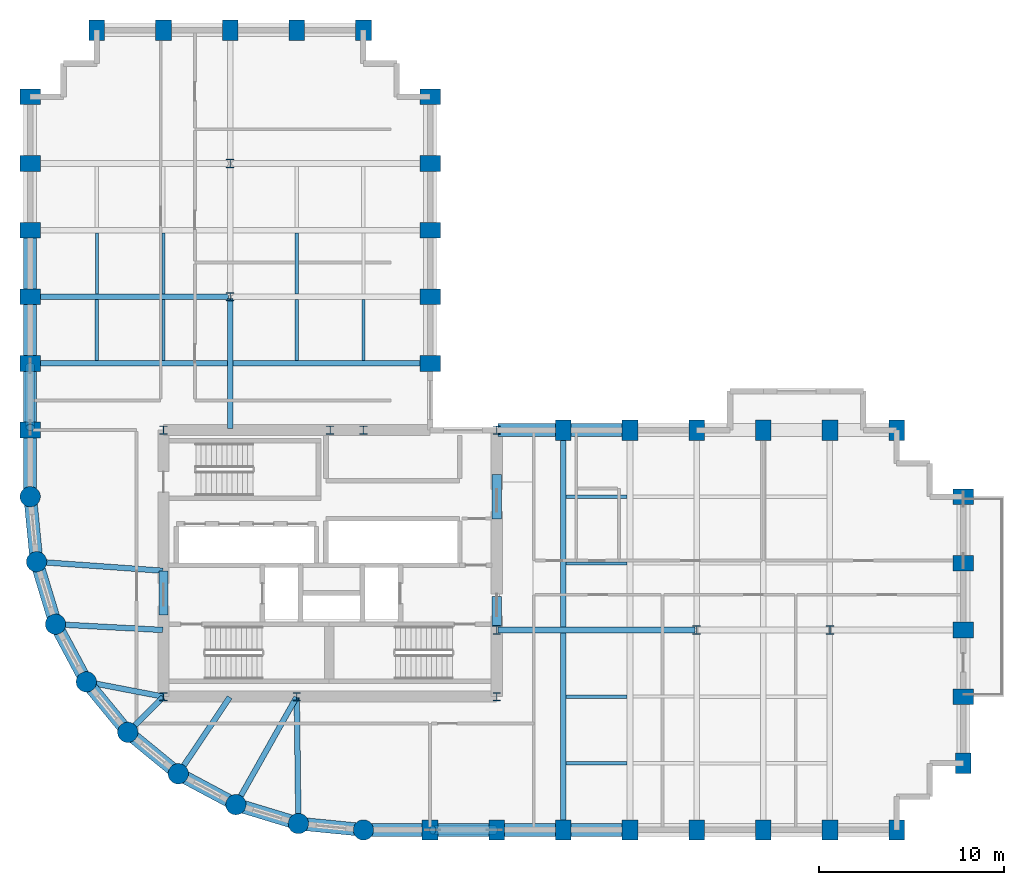
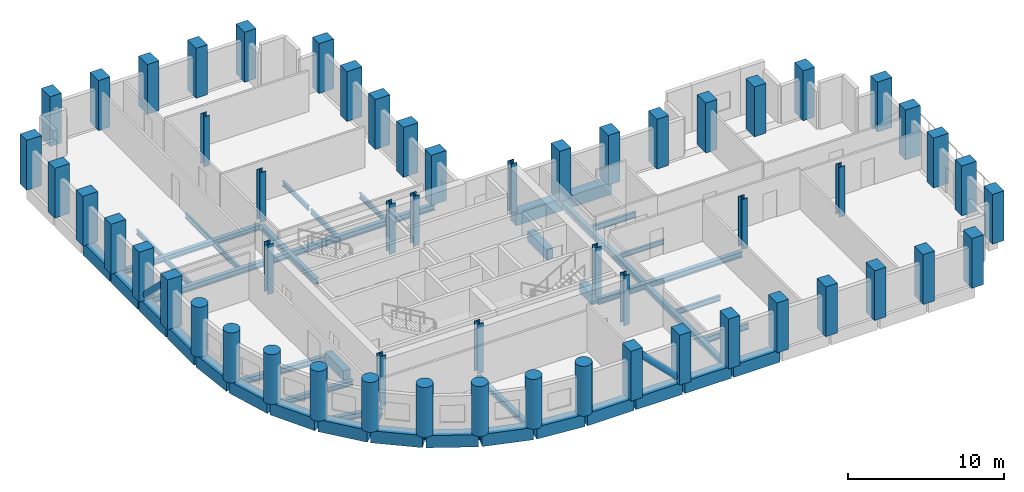
# One storey, part 1 of 8: 56 columns, 44 beams, 2 members.
"""IFC4 building model written with IfcOpenShell, lengths in metres."""

from ifc_helpers import new_model, si_unit, direction, frame, origin, origin_2d, place, context, subcontext, project, spatial, rectangle, circle, hollow_circle, i_section, extrude, material, material_profile, profile_set, type_object, element, save


model = new_model("IFC4")

# Units and contexts
model_context = context("Model", 3, precision=1e-05, world=origin(), true_north=direction((0.0, 1.0)))
body_context = subcontext(model_context, "Body", "Model", "MODEL_VIEW")
ifc_project = project(units=[si_unit("LENGTHUNIT", "METRE"), si_unit("AREAUNIT", "SQUARE_METRE"), si_unit("VOLUMEUNIT", "CUBIC_METRE"), si_unit("PLANEANGLEUNIT", "RADIAN"), si_unit("MASSUNIT", "GRAM", prefix="KILO")], contexts=[model_context])

# Site, building, storey
site_placement = place(None, origin())
site = spatial("IfcSite", under=ifc_project, at=site_placement, CompositionType="ELEMENT")
building_placement = place(site_placement, origin())
building = spatial("IfcBuilding", under=site, at=building_placement, Name="Solnavia Interchange Tower", CompositionType="ELEMENT")
storey_placement = place(building_placement, frame((0.0, 0.0, 107.39990234375)))
storey = spatial("IfcBuildingStorey", under=building, at=storey_placement, Name="L26", CompositionType="ELEMENT", Elevation=107.39990234375)

# Columns
ifc_material_1 = material(Name="Concrete C50/60", Category="concrete")
ifc_material_profile_1 = material_profile(ifc_material_1, rectangle(XDim=0.85009765625, YDim=1.10009765625, at=origin_2d()), Name="RC 1100x850")
ifc_profile_set_1 = profile_set([ifc_material_profile_1], Name="Concrete C50/60")
column_type_1 = type_object("IfcColumnType", Name="Col-RC-1100x850", PredefinedType="COLUMN", material=ifc_profile_set_1)
for number, where, z_axis, x_axis, name in (
    (1, (7.199951171875, 25.199951171875, 0.0), (0.0, 0.0, 1.0), (0.0, 1.0, 0.0), "COL-L26-02 Tower perim y column"),
    (2, (7.199951171875, 28.800048828125, 0.0), (0.0, 0.0, 1.0), (0.0, 1.0, 0.0), "COL-L26-03 Tower perim y column"),
    (3, (7.199951171875, 32.39990234375, 0.0), (0.0, 0.0, 1.0), (0.0, 1.0, 0.0), "COL-L26-04 Tower perim y column"),
    (4, (7.199951171875, 36.0, 0.0), (0.0, 0.0, 1.0), (0.0, 1.0, 0.0), "COL-L26-05 Tower perim y column"),
    (5, (7.199951171875, 39.60009765625, 0.0), (0.0, 0.0, 1.0), (0.0, 1.0, 0.0), "COL-L26-06 Tower perim y column"),
    (6, (7.199951171875, 43.199951171875, 0.0), (0.0, 0.0, 1.0), (0.0, 1.0, 0.0), "COL-L26-07 Tower corner column"),
    (7, (10.800048828125, 46.800048828125, 0.0), (0.0, 0.0, 1.0), (1.0, 0.0, 0.0), "COL-L26-11 Tower corner column"),
    (8, (14.39990234375, 46.800048828125, 0.0), (0.0, 0.0, 1.0), (1.0, 0.0, 0.0), "COL-L26-15 Tower perim x column"),
    (9, (18.0, 46.800048828125, 0.0), (0.0, 0.0, 1.0), (1.0, 0.0, 0.0), "COL-L26-19 Tower perim x column"),
    (10, (21.60009765625, 46.800048828125, 0.0), (0.0, 0.0, 1.0), (1.0, 0.0, 0.0), "COL-L26-22 Tower perim x column"),
    (11, (25.199951171875, 46.800048828125, 0.0), (0.0, 0.0, 1.0), (1.0, 0.0, 0.0), "COL-L26-27 Tower corner column"),
    (12, (28.800048828125, 3.60009765625, 0.0), (0.0, 0.0, 1.0), (1.0, 0.0, 0.0), "COL-L26-28 Tower perim x column"),
    (13, (28.800048828125, 28.800048828125, 0.0), (0.0, 0.0, 1.0), (0.0, 1.0, 0.0), "COL-L26-29 Tower perim y column"),
    (14, (28.800048828125, 32.39990234375, 0.0), (0.0, 0.0, 1.0), (0.0, 1.0, 0.0), "COL-L26-30 Tower perim y column"),
    (15, (28.800048828125, 36.0, 0.0), (0.0, 0.0, 1.0), (0.0, 1.0, 0.0), "COL-L26-31 Tower perim y column"),
    (16, (28.800048828125, 39.60009765625, 0.0), (0.0, 0.0, 1.0), (0.0, 1.0, 0.0), "COL-L26-32 Tower perim y column"),
    (17, (28.800048828125, 43.199951171875, 0.0), (0.0, 0.0, 1.0), (0.0, 1.0, 0.0), "COL-L26-33 Tower corner column"),
    (18, (32.39990234375, 3.60009765625, 0.0), (0.0, 0.0, 1.0), (1.0, 0.0, 0.0), "COL-L26-34 Tower perim x column"),
    (19, (36.0, 3.60009765625, 0.0), (0.0, 0.0, 1.0), (1.0, 0.0, 0.0), "COL-L26-38 Tower perim x column"),
    (20, (36.0, 25.199951171875, 0.0), (0.0, 0.0, 1.0), (1.0, 0.0, 0.0), "COL-L26-39 Tower perim x column"),
    (21, (39.60009765625, 3.60009765625, 0.0), (0.0, 0.0, 1.0), (1.0, 0.0, 0.0), "COL-L26-40 Tower perim x column"),
    (22, (39.60009765625, 25.199951171875, 0.0), (0.0, 0.0, 1.0), (1.0, 0.0, 0.0), "COL-L26-41 Tower perim x column"),
    (23, (43.199951171875, 3.60009765625, 0.0), (0.0, 0.0, 1.0), (1.0, 0.0, 0.0), "COL-L26-42 Tower perim x column"),
    (24, (43.199951171875, 25.199951171875, 0.0), (0.0, 0.0, 1.0), (1.0, 0.0, 0.0), "COL-L26-44 Tower perim x column"),
    (25, (46.800048828125, 3.60009765625, 0.0), (0.0, 0.0, 1.0), (1.0, 0.0, 0.0), "COL-L26-45 Tower perim x column"),
    (26, (46.800048828125, 25.199951171875, 0.0), (0.0, 0.0, 1.0), (1.0, 0.0, 0.0), "COL-L26-46 Tower perim x column"),
    (27, (50.39990234375, 3.60009765625, 0.0), (0.0, 0.0, 1.0), (1.0, 0.0, 0.0), "COL-L26-47 Tower perim x column"),
    (28, (50.39990234375, 25.199951171875, 0.0), (0.0, 0.0, 1.0), (1.0, 0.0, 0.0), "COL-L26-49 Tower perim x column"),
    (29, (54.0, 3.60009765625, 0.0), (0.0, 0.0, 1.0), (1.0, 0.0, 0.0), "COL-L26-50 Tower corner column"),
    (30, (54.0, 25.199951171875, 0.0), (0.0, 0.0, 1.0), (1.0, 0.0, 0.0), "COL-L26-51 Tower corner column"),
    (31, (57.60009765625, 7.199951171875, 0.0), (0.0, 0.0, 1.0), (1.0, 0.0, 0.0), "COL-L26-52 Tower corner column"),
    (32, (57.60009765625, 10.800048828125, 0.0), (0.0, 0.0, 1.0), (0.0, 1.0, 0.0), "COL-L26-53 Tower perim y column"),
    (33, (57.60009765625, 14.39990234375, 0.0), (0.0, 0.0, 1.0), (0.0, 1.0, 0.0), "COL-L26-54 Tower perim y column"),
    (34, (57.60009765625, 18.0, 0.0), (0.0, 0.0, 1.0), (0.0, 1.0, 0.0), "COL-L26-55 Tower perim y column"),
    (35, (57.60009765625, 21.60009765625, 0.0), (0.0, 0.0, 1.0), (0.0, 1.0, 0.0), "COL-L26-56 Tower corner column"),
):
    element("IfcColumn", number, at=place(storey_placement, frame(where, z_axis=z_axis, x_axis=x_axis)), inside=storey, type_object=column_type_1, Name=name, PredefinedType="COLUMN", context=body_context, shape_type="SweptSolid", body=[
        extrude(rectangle(XDim=0.85009765625, YDim=1.10009765625, at=origin_2d()), origin(), (0.0, 0.0, 1.0), 3.900146484375),
    ])
ifc_material_2 = material(Name="Concrete C60/75", Category="concrete")
ifc_material_profile_2 = material_profile(ifc_material_2, circle(Radius=0.550048828125, at=origin_2d()), Name="RC D1100")
ifc_profile_set_2 = profile_set([ifc_material_profile_2], Name="Concrete C60/75")
column_type_2 = type_object("IfcColumnType", Name="Col-RC-D1100", PredefinedType="COLUMN", material=ifc_profile_set_2)
for number, where, z_axis, x_axis, name in (
    (36, (7.199951171875, 21.60009765625, 0.0), (0.0, 0.0, 1.0), (1.0, 0.0, 0.0), "COL-L26-01 Tower drum column"),
    (37, (7.5458984375, 18.087890625, 0.0), (0.0, 0.0, 1.0), (1.0, 0.0, 0.0), "COL-L26-08 Tower drum column"),
    (38, (8.570068359375, 14.7119140625, 0.0), (0.0, 0.0, 1.0), (1.0, 0.0, 0.0), "COL-L26-09 Tower drum column"),
    (39, (10.23388671875, 11.60009765625, 0.0), (0.0, 0.0, 1.0), (1.0, 0.0, 0.0), "COL-L26-10 Tower drum column"),
    (40, (12.471923828125, 8.8720703125, 0.0), (0.0, 0.0, 1.0), (1.0, 0.0, 0.0), "COL-L26-12 Tower drum column"),
    (41, (15.199951171875, 6.634033203125, 0.0), (0.0, 0.0, 1.0), (1.0, 0.0, 0.0), "COL-L26-16 Tower drum column"),
    (42, (18.31201171875, 4.969970703125, 0.0), (0.0, 0.0, 1.0), (1.0, 0.0, 0.0), "COL-L26-20 Tower drum column"),
    (43, (21.68798828125, 3.946044921875, 0.0), (0.0, 0.0, 1.0), (1.0, 0.0, 0.0), "COL-L26-23 Tower drum column"),
    (44, (25.199951171875, 3.60009765625, 0.0), (0.0, 0.0, 1.0), (1.0, 0.0, 0.0), "COL-L26-25 Tower drum column"),
):
    element("IfcColumn", number, at=place(storey_placement, frame(where, z_axis=z_axis, x_axis=x_axis)), inside=storey, type_object=column_type_2, Name=name, PredefinedType="COLUMN", context=body_context, shape_type="SweptSolid", body=[
        extrude(circle(Radius=0.550048828125, at=origin_2d()), origin(), (0.0, 0.0, 1.0), 3.900146484375),
    ])
ifc_material_3 = material(Name="Steel S355", Category="steel")
ifc_material_profile_3 = material_profile(ifc_material_3, i_section(OverallWidth=0.424072265625, OverallDepth=0.467041015625, WebThickness=0.032958984375, FlangeThickness=0.053466796875, FilletRadius=0.014892578125, at=origin_2d()), Name="HD 400x509")
ifc_profile_set_3 = profile_set([ifc_material_profile_3], Name="Steel S355")
column_type_3 = type_object("IfcColumnType", Name="Col-Steel-HD400x509", PredefinedType="COLUMN", material=ifc_profile_set_3)
for number, where, z_axis, x_axis, name in (
    (45, (14.39990234375, 10.800048828125, 0.0), (0.0, 0.0, 1.0), (1.0, 0.0, 0.0), "COL-L26-13 Tower interior column"),
    (46, (14.39990234375, 25.199951171875, 0.0), (0.0, 0.0, 1.0), (1.0, 0.0, 0.0), "COL-L26-14 Tower interior column"),
    (47, (18.0, 32.39990234375, 0.0), (0.0, 0.0, 1.0), (1.0, 0.0, 0.0), "COL-L26-17 Tower interior column"),
    (48, (18.0, 39.60009765625, 0.0), (0.0, 0.0, 1.0), (1.0, 0.0, 0.0), "COL-L26-18 Tower interior column"),
    (49, (21.60009765625, 10.800048828125, 0.0), (0.0, 0.0, 1.0), (1.0, 0.0, 0.0), "COL-L26-21 Tower interior column"),
    (50, (23.39990234375, 25.199951171875, 0.0), (0.0, 0.0, 1.0), (1.0, 0.0, 0.0), "COL-L26-24 Tower interior column"),
    (51, (25.199951171875, 25.199951171875, 0.0), (0.0, 0.0, 1.0), (1.0, 0.0, 0.0), "COL-L26-26 Tower interior column"),
    (52, (32.39990234375, 10.800048828125, 0.0), (0.0, 0.0, 1.0), (1.0, 0.0, 0.0), "COL-L26-35 Tower interior column"),
    (53, (32.39990234375, 14.39990234375, 0.0), (0.0, 0.0, 1.0), (1.0, 0.0, 0.0), "COL-L26-36 Tower interior column"),
    (54, (32.39990234375, 25.199951171875, 0.0), (0.0, 0.0, 1.0), (1.0, 0.0, 0.0), "COL-L26-37 Tower interior column"),
    (55, (43.199951171875, 14.39990234375, 0.0), (0.0, 0.0, 1.0), (1.0, 0.0, 0.0), "COL-L26-43 Tower interior column"),
    (56, (50.39990234375, 14.39990234375, 0.0), (0.0, 0.0, 1.0), (1.0, 0.0, 0.0), "COL-L26-48 Tower interior column"),
):
    element("IfcColumn", number, at=place(storey_placement, frame(where, z_axis=z_axis, x_axis=x_axis)), inside=storey, type_object=column_type_3, Name=name, PredefinedType="COLUMN", context=body_context, shape_type="SweptSolid", body=[
        extrude(i_section(OverallWidth=0.424072265625, OverallDepth=0.467041015625, WebThickness=0.032958984375, FlangeThickness=0.053466796875, FilletRadius=0.014892578125, at=origin_2d()), origin(), (0.0, 0.0, 1.0), 3.900146484375),
    ])

# Beams
ifc_material_profile_4 = material_profile(ifc_material_1, rectangle(XDim=0.5, YDim=0.800048828125, at=origin_2d()), Name="RC 500x800")
ifc_profile_set_4 = profile_set([ifc_material_profile_4], Name="Concrete C50/60")
beam_type_1 = type_object("IfcBeamType", Name="Beam-Coupling-RC500x800", PredefinedType="LINTEL", material=ifc_profile_set_4)
beam_1_placement = place(storey_placement, frame((14.39990234375, 15.199951171875, -0.39990234375), z_axis=(0.0, 1.0, 0.0), x_axis=(-1.0, 0.0, 0.0)))
element("IfcBeam", 57, at=beam_1_placement, inside=storey, type_object=beam_type_1, Name="CPB-L26-W1 Core coupling lintel beam", PredefinedType="LINTEL", context=body_context, shape_type="SweptSolid", body=[
    extrude(rectangle(XDim=0.5, YDim=0.800048828125, at=origin_2d()), origin(), (0.0, 0.0, 1.0), 2.400146484375),
])
beam_2_placement = place(storey_placement, frame((32.39990234375, 14.60009765625, -0.39990234375), z_axis=(0.0, 1.0, 0.0), x_axis=(-1.0, 0.0, 0.0)))
element("IfcBeam", 58, at=beam_2_placement, inside=storey, type_object=beam_type_1, Name="CPB-L26-E1 Core coupling lintel beam", PredefinedType="LINTEL", context=body_context, shape_type="SweptSolid", body=[
    extrude(rectangle(XDim=0.5, YDim=0.800048828125, at=origin_2d()), origin(), (0.0, 0.0, 1.0), 1.599853515625),
])
beam_3_placement = place(storey_placement, frame((32.39990234375, 20.39990234375, -0.39990234375), z_axis=(0.0, 1.0, 0.0), x_axis=(-1.0, 0.0, 0.0)))
element("IfcBeam", 59, at=beam_3_placement, inside=storey, type_object=beam_type_1, Name="CPB-L26-E2 Core coupling lintel beam", PredefinedType="LINTEL", context=body_context, shape_type="SweptSolid", body=[
    extrude(rectangle(XDim=0.5, YDim=0.800048828125, at=origin_2d()), origin(), (0.0, 0.0, 1.0), 2.400146484375),
])
ifc_material_4 = material(Name="Steel S460", Category="steel")
ifc_material_profile_5 = material_profile(ifc_material_4, i_section(OverallWidth=0.300048828125, OverallDepth=0.449951171875, WebThickness=0.013916015625, FlangeThickness=0.02587890625, FilletRadius=0.027099609375, at=origin_2d()), Name="HEB 450")
ifc_profile_set_5 = profile_set([ifc_material_profile_5], Name="Steel S460")
beam_type_2 = type_object("IfcBeamType", Name="Beam-Girder-HEB450", PredefinedType="BEAM", material=ifc_profile_set_5)
beam_4_placement = place(storey_placement, frame((32.47998046875, 14.39990234375, -0.474853515625), z_axis=(1.0, 0.0, 0.0), x_axis=(0.0, 1.0, 0.0)))
element("IfcBeam", 60, at=beam_4_placement, inside=storey, type_object=beam_type_2, Name="GRD-L26-ES01 East wing spine girder", PredefinedType="BEAM", context=body_context, shape_type="SweptSolid", body=[
    extrude(i_section(OverallWidth=0.300048828125, OverallDepth=0.449951171875, WebThickness=0.013916015625, FlangeThickness=0.02587890625, FilletRadius=0.027099609375, at=origin_2d()), origin(), (0.0, 0.0, 1.0), 10.64013671875),
])
beam_5_placement = place(storey_placement, frame((36.0, 3.679931640625, -0.474853515625), z_axis=(0.0, 1.0, 0.0), x_axis=(-1.0, 0.0, 0.0)))
element("IfcBeam", 61, at=beam_5_placement, inside=storey, type_object=beam_type_2, Name="GRD-L26-EW04 East wing primary floor girder", PredefinedType="BEAM", context=body_context, shape_type="SweptSolid", body=[
    extrude(i_section(OverallWidth=0.300048828125, OverallDepth=0.449951171875, WebThickness=0.013916015625, FlangeThickness=0.02587890625, FilletRadius=0.027099609375, at=origin_2d()), origin(), (0.0, 0.0, 1.0), 21.440185546875),
])
beam_6_placement = place(storey_placement, frame((18.0, 25.280029296875, -0.474853515625), z_axis=(0.0, 1.0, 0.0), x_axis=(-1.0, 0.0, 0.0)))
element("IfcBeam", 62, at=beam_6_placement, inside=storey, type_object=beam_type_2, Name="GRD-L26-NS11 North wing spine girder", PredefinedType="BEAM", context=body_context, shape_type="SweptSolid", body=[
    extrude(i_section(OverallWidth=0.300048828125, OverallDepth=0.449951171875, WebThickness=0.013916015625, FlangeThickness=0.02587890625, FilletRadius=0.027099609375, at=origin_2d()), origin(), (0.0, 0.0, 1.0), 7.0400390625),
])
beam_7_placement = place(storey_placement, frame((10.3125, 11.5849609375, -0.474853515625), z_axis=(0.982057527796, -0.188581579428, 0.0), x_axis=(0.188581579428, 0.982057527796, 0.0)))
element("IfcBeam", 63, at=beam_7_placement, inside=storey, type_object=beam_type_2, Name="GRD-L26-DR22 Drum radial floor girder", PredefinedType="BEAM", context=body_context, shape_type="SweptSolid", body=[
    extrude(i_section(OverallWidth=0.300048828125, OverallDepth=0.449951171875, WebThickness=0.013916015625, FlangeThickness=0.02587890625, FilletRadius=0.027099609375, at=origin_2d()), origin(), (0.0, 0.0, 1.0), 4.1220703125),
])
beam_8_placement = place(storey_placement, frame((18.351318359375, 5.039794921875, -0.474853515625), z_axis=(0.491243158486, 0.871022479182, 0.0), x_axis=(-0.871022479182, 0.491243158486, 0.0)))
element("IfcBeam", 64, at=beam_8_placement, inside=storey, type_object=beam_type_2, Name="GRD-L26-DR25 Drum radial floor girder", PredefinedType="BEAM", context=body_context, shape_type="SweptSolid", body=[
    extrude(i_section(OverallWidth=0.300048828125, OverallDepth=0.449951171875, WebThickness=0.013916015625, FlangeThickness=0.02587890625, FilletRadius=0.027099609375, at=origin_2d()), origin(), (0.0, 0.0, 1.0), 6.5732421875),
])
ifc_material_profile_6 = material_profile(ifc_material_3, i_section(OverallWidth=0.169921875, OverallDepth=0.360107421875, WebThickness=0.008056640625, FlangeThickness=0.0126953125, FilletRadius=0.01806640625, at=origin_2d()), Name="IPE 360")
ifc_profile_set_6 = profile_set([ifc_material_profile_6], Name="Steel S355")
beam_type_3 = type_object("IfcBeamType", Name="Beam-Joist-IPE360", PredefinedType="JOIST", material=ifc_profile_set_6)
for number, where, z_axis, x_axis, name in (
    (65, (36.14990234375, 18.0, -0.429931640625), (1.0, 0.0, 0.0), (0.0, 1.0, 0.0), "JST-L26-E09 East wing secondary joist"),
    (66, (10.800048828125, 32.550048828125, -0.429931640625), (0.0, 1.0, 0.0), (-1.0, 0.0, 0.0), "JST-L26-N18 North wing secondary joist"),
    (67, (14.39990234375, 32.550048828125, -0.429931640625), (0.0, 1.0, 0.0), (-1.0, 0.0, 0.0), "JST-L26-N21 North wing secondary joist"),
    (68, (21.60009765625, 32.550048828125, -0.429931640625), (0.0, 1.0, 0.0), (-1.0, 0.0, 0.0), "JST-L26-N24 North wing secondary joist"),
):
    element("IfcBeam", number, at=place(storey_placement, frame(where, z_axis=z_axis, x_axis=x_axis)), inside=storey, type_object=beam_type_3, Name=name, PredefinedType="JOIST", context=body_context, shape_type="SweptSolid", body=[
        extrude(i_section(OverallWidth=0.169921875, OverallDepth=0.360107421875, WebThickness=0.008056640625, FlangeThickness=0.0126953125, FilletRadius=0.01806640625, at=origin_2d()), origin(), (0.0, 0.0, 1.0), 3.300048828125),
    ])
ifc_material_profile_7 = material_profile(ifc_material_3, i_section(OverallWidth=0.179931640625, OverallDepth=0.39990234375, WebThickness=0.008544921875, FlangeThickness=0.013427734375, FilletRadius=0.02099609375, at=origin_2d()), Name="IPE 400")
ifc_profile_set_7 = profile_set([ifc_material_profile_7], Name="Steel S355")
beam_type_4 = type_object("IfcBeamType", Name="Beam-Joist-IPE400", PredefinedType="JOIST", material=ifc_profile_set_7)
for number, where, z_axis, x_axis, name in (
    (69, (36.14990234375, 10.800048828125, -0.449951171875), (1.0, 0.0, 0.0), (0.0, 1.0, 0.0), "JST-L26-E05 East wing secondary joist"),
    (70, (10.800048828125, 28.949951171875, -0.449951171875), (0.0, 1.0, 0.0), (-1.0, 0.0, 0.0), "JST-L26-N17 North wing secondary joist"),
    (71, (14.39990234375, 28.949951171875, -0.449951171875), (0.0, 1.0, 0.0), (-1.0, 0.0, 0.0), "JST-L26-N20 North wing secondary joist"),
    (72, (21.60009765625, 28.949951171875, -0.449951171875), (0.0, 1.0, 0.0), (-1.0, 0.0, 0.0), "JST-L26-N23 North wing secondary joist"),
    (73, (25.199951171875, 28.949951171875, -0.449951171875), (0.0, 1.0, 0.0), (-1.0, 0.0, 0.0), "JST-L26-N26 North wing secondary joist"),
):
    element("IfcBeam", number, at=place(storey_placement, frame(where, z_axis=z_axis, x_axis=x_axis)), inside=storey, type_object=beam_type_4, Name=name, PredefinedType="JOIST", context=body_context, shape_type="SweptSolid", body=[
        extrude(i_section(OverallWidth=0.179931640625, OverallDepth=0.39990234375, WebThickness=0.008544921875, FlangeThickness=0.013427734375, FilletRadius=0.02099609375, at=origin_2d()), origin(), (0.0, 0.0, 1.0), 3.300048828125),
    ])
ifc_material_profile_8 = material_profile(ifc_material_3, i_section(OverallWidth=0.18994140625, OverallDepth=0.449951171875, WebThickness=0.009521484375, FlangeThickness=0.0146484375, FilletRadius=0.02099609375, at=origin_2d()), Name="IPE 450")
ifc_profile_set_8 = profile_set([ifc_material_profile_8], Name="Steel S355")
beam_type_5 = type_object("IfcBeamType", Name="Beam-Joist-IPE450", PredefinedType="JOIST", material=ifc_profile_set_8)
for number, where, z_axis, x_axis, name in (
    (74, (36.14990234375, 7.199951171875, -0.474853515625), (1.0, 0.0, 0.0), (0.0, 1.0, 0.0), "JST-L26-E01 East wing secondary joist"),
    (75, (36.14990234375, 21.60009765625, -0.474853515625), (1.0, 0.0, 0.0), (0.0, 1.0, 0.0), "JST-L26-E13 East wing secondary joist"),
):
    element("IfcBeam", number, at=place(storey_placement, frame(where, z_axis=z_axis, x_axis=x_axis)), inside=storey, type_object=beam_type_5, Name=name, PredefinedType="JOIST", context=body_context, shape_type="SweptSolid", body=[
        extrude(i_section(OverallWidth=0.18994140625, OverallDepth=0.449951171875, WebThickness=0.009521484375, FlangeThickness=0.0146484375, FilletRadius=0.02099609375, at=origin_2d()), origin(), (0.0, 0.0, 1.0), 3.300048828125),
    ])
ifc_material_profile_9 = material_profile(ifc_material_3, i_section(OverallWidth=0.300048828125, OverallDepth=0.389892578125, WebThickness=0.010986328125, FlangeThickness=0.01904296875, FilletRadius=0.027099609375, at=origin_2d()), Name="HEA 400")
ifc_profile_set_9 = profile_set([ifc_material_profile_9], Name="Steel S355")
beam_type_6 = type_object("IfcBeamType", Name="Beam-Primary-HEA400", PredefinedType="BEAM", material=ifc_profile_set_9)
beam_9_placement = place(storey_placement, frame((7.280029296875, 32.39990234375, -0.44482421875), z_axis=(1.0, 0.0, 0.0), x_axis=(0.0, 1.0, 0.0)))
element("IfcBeam", 76, at=beam_9_placement, inside=storey, type_object=beam_type_6, Name="GRD-L26-NW15 North wing primary floor girder", PredefinedType="BEAM", context=body_context, shape_type="SweptSolid", body=[
    extrude(i_section(OverallWidth=0.300048828125, OverallDepth=0.389892578125, WebThickness=0.010986328125, FlangeThickness=0.01904296875, FilletRadius=0.027099609375, at=origin_2d()), origin(), (0.0, 0.0, 1.0), 10.639892578125),
])
beam_10_placement = place(storey_placement, frame((8.64990234375, 14.707763671875, -0.44482421875), z_axis=(0.998570371303, -0.053452909696, 0.0), x_axis=(0.053452909696, 0.998570371303, 0.0)))
element("IfcBeam", 77, at=beam_10_placement, inside=storey, type_object=beam_type_6, Name="GRD-L26-DR21 Drum radial floor girder", PredefinedType="BEAM", context=body_context, shape_type="SweptSolid", body=[
    extrude(i_section(OverallWidth=0.300048828125, OverallDepth=0.389892578125, WebThickness=0.010986328125, FlangeThickness=0.01904296875, FilletRadius=0.027099609375, at=origin_2d()), origin(), (0.0, 0.0, 1.0), 5.71826171875),
])
beam_11_placement = place(storey_placement, frame((15.24462890625, 6.700439453125, -0.44482421875), z_axis=(0.557835474219, 0.829951555033, 0.0), x_axis=(-0.829951555033, 0.557835474219, 0.0)))
element("IfcBeam", 78, at=beam_11_placement, inside=storey, type_object=beam_type_6, Name="GRD-L26-DR24 Drum radial floor girder", PredefinedType="BEAM", context=body_context, shape_type="SweptSolid", body=[
    extrude(i_section(OverallWidth=0.300048828125, OverallDepth=0.389892578125, WebThickness=0.010986328125, FlangeThickness=0.01904296875, FilletRadius=0.027099609375, at=origin_2d()), origin(), (0.0, 0.0, 1.0), 4.899658203125),
])
ifc_material_profile_10 = material_profile(ifc_material_3, i_section(OverallWidth=0.300048828125, OverallDepth=0.43994140625, WebThickness=0.011474609375, FlangeThickness=0.02099609375, FilletRadius=0.027099609375, at=origin_2d()), Name="HEA 450")
ifc_profile_set_10 = profile_set([ifc_material_profile_10], Name="Steel S355")
beam_type_7 = type_object("IfcBeamType", Name="Beam-Primary-HEA450", PredefinedType="BEAM", material=ifc_profile_set_10)
beam_12_placement = place(storey_placement, frame((7.280029296875, 28.800048828125, -0.469970703125), z_axis=(1.0, 0.0, 0.0), x_axis=(0.0, 1.0, 0.0)))
element("IfcBeam", 79, at=beam_12_placement, inside=storey, type_object=beam_type_7, Name="GRD-L26-NW14 North wing primary floor girder", PredefinedType="BEAM", context=body_context, shape_type="SweptSolid", body=[
    extrude(i_section(OverallWidth=0.300048828125, OverallDepth=0.43994140625, WebThickness=0.011474609375, FlangeThickness=0.02099609375, FilletRadius=0.027099609375, at=origin_2d()), origin(), (0.0, 0.0, 1.0), 21.43994140625),
])
beam_13_placement = place(storey_placement, frame((7.625732421875, 18.082275390625, -0.469970703125), z_axis=(0.99747482749, -0.071020902015, 0.0), x_axis=(0.071020902015, 0.99747482749, 0.0)))
element("IfcBeam", 80, at=beam_13_placement, inside=storey, type_object=beam_type_7, Name="GRD-L26-DR20 Drum radial floor girder", PredefinedType="BEAM", context=body_context, shape_type="SweptSolid", body=[
    extrude(i_section(OverallWidth=0.300048828125, OverallDepth=0.43994140625, WebThickness=0.011474609375, FlangeThickness=0.02099609375, FilletRadius=0.027099609375, at=origin_2d()), origin(), (0.0, 0.0, 1.0), 6.75146484375),
])
beam_14_placement = place(storey_placement, frame((12.528564453125, 8.9287109375, -0.469970703125), z_axis=(0.707106781187, 0.707106781187, 0.0), x_axis=(-0.707106781187, 0.707106781187, 0.0)))
element("IfcBeam", 81, at=beam_14_placement, inside=storey, type_object=beam_type_7, Name="GRD-L26-DR23 Drum radial floor girder", PredefinedType="BEAM", context=body_context, shape_type="SweptSolid", body=[
    extrude(i_section(OverallWidth=0.300048828125, OverallDepth=0.43994140625, WebThickness=0.011474609375, FlangeThickness=0.02099609375, FilletRadius=0.027099609375, at=origin_2d()), origin(), (0.0, 0.0, 1.0), 2.6064453125),
])
beam_15_placement = place(storey_placement, frame((21.68701171875, 4.02587890625, -0.469970703125), z_axis=(-0.01283293513, 0.999917654498, 0.0), x_axis=(-0.999917654498, -0.01283293513, 0.0)))
element("IfcBeam", 82, at=beam_15_placement, inside=storey, type_object=beam_type_7, Name="GRD-L26-DR26 Drum radial floor girder", PredefinedType="BEAM", context=body_context, shape_type="SweptSolid", body=[
    extrude(i_section(OverallWidth=0.300048828125, OverallDepth=0.43994140625, WebThickness=0.011474609375, FlangeThickness=0.02099609375, FilletRadius=0.027099609375, at=origin_2d()), origin(), (0.0, 0.0, 1.0), 6.734619140625),
])
ifc_material_profile_11 = material_profile(ifc_material_1, rectangle(XDim=0.699951171875, YDim=0.949951171875, at=origin_2d()), Name="RC 700x950")
ifc_profile_set_11 = profile_set([ifc_material_profile_11], Name="Concrete C50/60")
beam_type_8 = type_object("IfcBeamType", Name="Beam-Spandrel-RC700x950", PredefinedType="SPANDREL", material=ifc_profile_set_11)
beam_16_placement = place(storey_placement, frame((7.207763671875, 21.5205078125, -0.474853515625), z_axis=(0.098040038117, -0.995182471171, 0.0), x_axis=(0.995182471171, 0.098040038117, 0.0)))
element("IfcBeam", 83, at=beam_16_placement, inside=storey, type_object=beam_type_8, Name="SPB-L26-01 Framed-tube perimeter spandrel beam", PredefinedType="SPANDREL", context=body_context, shape_type="SweptSolid", body=[
    extrude(rectangle(XDim=0.699951171875, YDim=0.949951171875, at=origin_2d()), origin(), (0.0, 0.0, 1.0), 3.369140625),
])
beam_17_placement = place(storey_placement, frame((7.569091796875, 18.011474609375, -0.474853515625), z_axis=(0.290319223646, -0.956929855518, 0.0), x_axis=(0.956929855518, 0.290319223646, 0.0)))
element("IfcBeam", 84, at=beam_17_placement, inside=storey, type_object=beam_type_8, Name="SPB-L26-02 Framed-tube perimeter spandrel beam", PredefinedType="SPANDREL", context=body_context, shape_type="SweptSolid", body=[
    extrude(rectangle(XDim=0.699951171875, YDim=0.949951171875, at=origin_2d()), origin(), (0.0, 0.0, 1.0), 3.367919921875),
])
beam_18_placement = place(storey_placement, frame((8.607666015625, 14.6416015625, -0.474853515625), z_axis=(0.471509422952, -0.881861023102, 0.0), x_axis=(0.881861023102, 0.471509422952, 0.0)))
element("IfcBeam", 85, at=beam_18_placement, inside=storey, type_object=beam_type_8, Name="SPB-L26-03 Framed-tube perimeter spandrel beam", PredefinedType="SPANDREL", context=body_context, shape_type="SweptSolid", body=[
    extrude(rectangle(XDim=0.699951171875, YDim=0.949951171875, at=origin_2d()), origin(), (0.0, 0.0, 1.0), 3.369140625),
])
for number, where, z_axis, x_axis, name in (
    (86, (10.28466796875, 11.5380859375, -0.474853515625), (0.634298841675, -0.773087950656, 0.0), (0.773087950656, 0.634298841675, 0.0), "SPB-L26-04 Framed-tube perimeter spandrel beam"),
    (87, (12.53369140625, 8.8212890625, -0.474853515625), (0.773152644452, -0.634219984214, 0.0), (0.634219984214, 0.773152644452, 0.0), "SPB-L26-05 Framed-tube perimeter spandrel beam"),
):
    element("IfcBeam", number, at=place(storey_placement, frame(where, z_axis=z_axis, x_axis=x_axis)), inside=storey, type_object=beam_type_8, Name=name, PredefinedType="SPANDREL", context=body_context, shape_type="SweptSolid", body=[
        extrude(rectangle(XDim=0.699951171875, YDim=0.949951171875, at=origin_2d()), origin(), (0.0, 0.0, 1.0), 3.36865234375),
    ])
beam_19_placement = place(storey_placement, frame((15.2705078125, 6.59619140625, -0.474853515625), z_axis=(0.881875044348, -0.47148319817, 0.0), x_axis=(0.47148319817, 0.881875044348, 0.0)))
element("IfcBeam", 88, at=beam_19_placement, inside=storey, type_object=beam_type_8, Name="SPB-L26-06 Framed-tube perimeter spandrel beam", PredefinedType="SPANDREL", context=body_context, shape_type="SweptSolid", body=[
    extrude(rectangle(XDim=0.699951171875, YDim=0.949951171875, at=origin_2d()), origin(), (0.0, 0.0, 1.0), 3.368896484375),
])
beam_20_placement = place(storey_placement, frame((18.388671875, 4.94677734375, -0.474853515625), z_axis=(0.956943884494, -0.290272978297, 0.0), x_axis=(0.290272978297, 0.956943884494, 0.0)))
element("IfcBeam", 89, at=beam_20_placement, inside=storey, type_object=beam_type_8, Name="SPB-L26-07 Framed-tube perimeter spandrel beam", PredefinedType="SPANDREL", context=body_context, shape_type="SweptSolid", body=[
    extrude(rectangle(XDim=0.699951171875, YDim=0.949951171875, at=origin_2d()), origin(), (0.0, 0.0, 1.0), 3.36767578125),
])
beam_21_placement = place(storey_placement, frame((21.767578125, 3.938232421875, -0.474853515625), z_axis=(0.995181774609, -0.098047108501, 0.0), x_axis=(0.098047108501, 0.995181774609, 0.0)))
element("IfcBeam", 90, at=beam_21_placement, inside=storey, type_object=beam_type_8, Name="SPB-L26-08 Framed-tube perimeter spandrel beam", PredefinedType="SPANDREL", context=body_context, shape_type="SweptSolid", body=[
    extrude(rectangle(XDim=0.699951171875, YDim=0.949951171875, at=origin_2d()), origin(), (0.0, 0.0, 1.0), 3.368896484375),
])
beam_22_placement = place(storey_placement, frame((25.280029296875, 3.60009765625, -0.474853515625), z_axis=(1.0, 0.0, 0.0), x_axis=(0.0, 1.0, 0.0)))
element("IfcBeam", 91, at=beam_22_placement, inside=storey, type_object=beam_type_8, Name="SPB-L26-09 Framed-tube perimeter spandrel beam", PredefinedType="SPANDREL", context=body_context, shape_type="SweptSolid", body=[
    extrude(rectangle(XDim=0.699951171875, YDim=0.949951171875, at=origin_2d()), origin(), (0.0, 0.0, 1.0), 3.43994140625),
])
beam_23_placement = place(storey_placement, frame((28.8798828125, 3.60009765625, -0.474853515625), z_axis=(1.0, 0.0, 0.0), x_axis=(0.0, 1.0, 0.0)))
element("IfcBeam", 92, at=beam_23_placement, inside=storey, type_object=beam_type_8, Name="SPB-L26-10 Framed-tube perimeter spandrel beam", PredefinedType="SPANDREL", context=body_context, shape_type="SweptSolid", body=[
    extrude(rectangle(XDim=0.699951171875, YDim=0.949951171875, at=origin_2d()), origin(), (0.0, 0.0, 1.0), 3.440185546875),
])
for number, where, z_axis, x_axis, name in (
    (93, (32.47998046875, 3.60009765625, -0.474853515625), (1.0, 0.0, 0.0), (0.0, 1.0, 0.0), "SPB-L26-11 Framed-tube perimeter spandrel beam"),
    (94, (36.080078125, 3.60009765625, -0.474853515625), (1.0, 0.0, 0.0), (0.0, 1.0, 0.0), "SPB-L26-12 Framed-tube perimeter spandrel beam"),
    (95, (39.52001953125, 25.199951171875, -0.474853515625), (-1.0, 0.0, 0.0), (0.0, -1.0, 0.0), "SPB-L26-25 Framed-tube perimeter spandrel beam"),
    (96, (35.919921875, 25.199951171875, -0.474853515625), (-1.0, 0.0, 0.0), (0.0, -1.0, 0.0), "SPB-L26-26 Framed-tube perimeter spandrel beam"),
    (97, (7.199951171875, 35.919921875, -0.474853515625), (0.0, -1.0, 0.0), (1.0, 0.0, 0.0), "SPB-L26-37 Framed-tube perimeter spandrel beam"),
):
    element("IfcBeam", number, at=place(storey_placement, frame(where, z_axis=z_axis, x_axis=x_axis)), inside=storey, type_object=beam_type_8, Name=name, PredefinedType="SPANDREL", context=body_context, shape_type="SweptSolid", body=[
        extrude(rectangle(XDim=0.699951171875, YDim=0.949951171875, at=origin_2d()), origin(), (0.0, 0.0, 1.0), 3.43994140625),
    ])
beam_24_placement = place(storey_placement, frame((7.199951171875, 32.320068359375, -0.474853515625), z_axis=(0.0, -1.0, 0.0), x_axis=(1.0, 0.0, 0.0)))
element("IfcBeam", 98, at=beam_24_placement, inside=storey, type_object=beam_type_8, Name="SPB-L26-38 Framed-tube perimeter spandrel beam", PredefinedType="SPANDREL", context=body_context, shape_type="SweptSolid", body=[
    extrude(rectangle(XDim=0.699951171875, YDim=0.949951171875, at=origin_2d()), origin(), (0.0, 0.0, 1.0), 3.440185546875),
])
beam_25_placement = place(storey_placement, frame((7.199951171875, 28.719970703125, -0.474853515625), z_axis=(0.0, -1.0, 0.0), x_axis=(1.0, 0.0, 0.0)))
element("IfcBeam", 99, at=beam_25_placement, inside=storey, type_object=beam_type_8, Name="SPB-L26-39 Framed-tube perimeter spandrel beam", PredefinedType="SPANDREL", context=body_context, shape_type="SweptSolid", body=[
    extrude(rectangle(XDim=0.699951171875, YDim=0.949951171875, at=origin_2d()), origin(), (0.0, 0.0, 1.0), 3.43994140625),
])
beam_26_placement = place(storey_placement, frame((7.199951171875, 25.1201171875, -0.474853515625), z_axis=(0.0, -1.0, 0.0), x_axis=(1.0, 0.0, 0.0)))
element("IfcBeam", 100, at=beam_26_placement, inside=storey, type_object=beam_type_8, Name="SPB-L26-40 Framed-tube perimeter spandrel beam", PredefinedType="SPANDREL", context=body_context, shape_type="SweptSolid", body=[
    extrude(rectangle(XDim=0.699951171875, YDim=0.949951171875, at=origin_2d()), origin(), (0.0, 0.0, 1.0), 3.440185546875),
])

# Members
ifc_material_profile_12 = material_profile(ifc_material_4, hollow_circle(Radius=0.25390625, WallThickness=0.02490234375, at=origin_2d()), Name="CHS 508x25")
ifc_profile_set_12 = profile_set([ifc_material_profile_12], Name="Steel S460")
member_type = type_object("IfcMemberType", Name="Brace-Perim-CHS508", PredefinedType="BRACE", material=ifc_profile_set_12)
member_1_placement = place(storey_placement, frame((32.260009765625, 3.60009765625, 0.18017578125), z_axis=(-0.710311792477, 0.0, 0.703887176661), x_axis=(0.0, -1.0, 0.0)))
element("IfcMember", 101, at=member_1_placement, inside=storey, type_object=member_type, Name="BRC-L26-01 Perimeter tube diagonal brace", PredefinedType="BRACE", context=body_context, shape_type="SweptSolid", body=[
    extrude(hollow_circle(Radius=0.25390625, WallThickness=0.02490234375, at=origin_2d()), origin(), (0.0, 0.0, 1.0), 4.674072265625),
])
member_2_placement = place(storey_placement, frame((7.199951171875, 28.659912109375, 0.18017578125), z_axis=(0.0, -0.710285911997, 0.703913292401), x_axis=(1.0, 0.0, 0.0)))
element("IfcMember", 102, at=member_2_placement, inside=storey, type_object=member_type, Name="BRC-L26-02 Perimeter tube diagonal brace", PredefinedType="BRACE", context=body_context, shape_type="SweptSolid", body=[
    extrude(hollow_circle(Radius=0.25390625, WallThickness=0.02490234375, at=origin_2d()), origin(), (0.0, 0.0, 1.0), 4.673828125),
])

save(model, "model.ifc")
